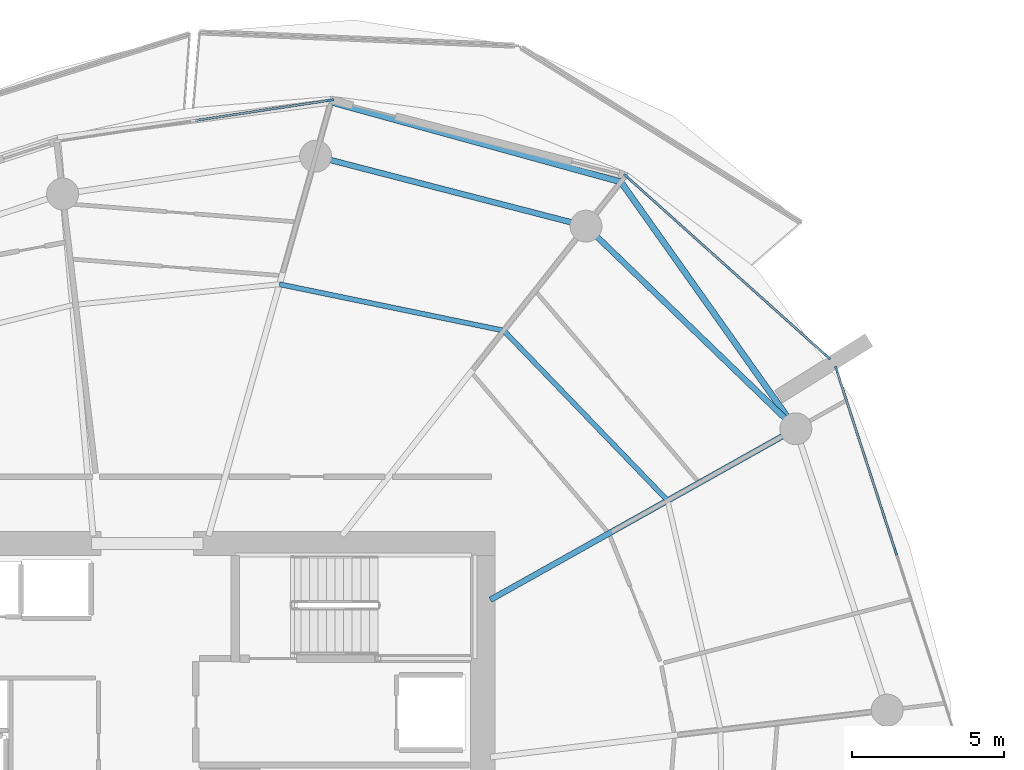
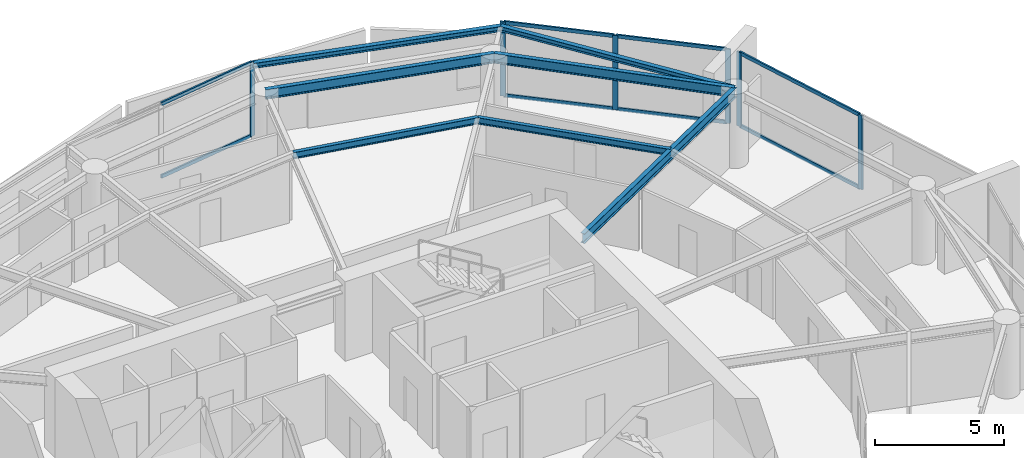
# One storey, part 9 of 20: 14 members, 7 beams, 3 elements without a shape of their own.
"""IFC4 building model written with IfcOpenShell, lengths in metres."""

from ifc_helpers import new_model, si_unit, direction, frame, origin, origin_2d, place, context, subcontext, project, spatial, rectangle, i_section, extrude, material, layer, layer_set, material_profile, profile_set, type_object, element, aggregate, save


model = new_model("IFC4")

# Units and contexts
model_context = context("Model", 3, precision=1e-05, world=origin(), true_north=direction((0.0, 1.0)))
body_context = subcontext(model_context, "Body", "Model", "MODEL_VIEW")
ifc_project = project(units=[si_unit("LENGTHUNIT", "METRE"), si_unit("AREAUNIT", "SQUARE_METRE"), si_unit("VOLUMEUNIT", "CUBIC_METRE"), si_unit("PLANEANGLEUNIT", "RADIAN"), si_unit("MASSUNIT", "GRAM", prefix="KILO")], contexts=[model_context])

# Site, building, storey
site_placement = place(None, origin())
site = spatial("IfcSite", under=ifc_project, at=site_placement, CompositionType="ELEMENT")
building_placement = place(site_placement, origin())
building = spatial("IfcBuilding", under=site, at=building_placement, Name="Kazma Halo Residences", CompositionType="ELEMENT")
storey_placement = place(building_placement, frame((0.0, 0.0, 161.550048828125)))
storey = spatial("IfcBuildingStorey", under=building, at=storey_placement, Name="L40", CompositionType="ELEMENT", Elevation=161.550048828125)

# Beams
ifc_material_1 = material(Name="Steel S355", Category="steel")
ifc_material_profile_1 = material_profile(ifc_material_1, i_section(OverallWidth=0.201904296875, OverallDepth=0.2470703125, WebThickness=0.00732421875, FlangeThickness=0.010986328125, FilletRadius=0.011962890625, at=origin_2d()), Name="W250x49.1")
ifc_profile_set_1 = profile_set([ifc_material_profile_1], Name="Steel S355")
beam_type_1 = type_object("IfcBeamType", Name="BM-BAL-CANT", PredefinedType="BEAM", material=ifc_profile_set_1)
beam_1_placement = place(storey_placement, frame((69.730224609375, 54.16943359375, 3.37646484375), z_axis=(-0.578203432081, 0.81589263456, 0.0), x_axis=(-0.81589263456, -0.578203432081, 0.0)))
element("IfcBeam", 1, at=beam_1_placement, inside=storey, type_object=beam_type_1, Name="L40 wave-balcony lead tie beam 01", PredefinedType="BEAM", context=body_context, shape_type="SweptSolid", body=[
    extrude(i_section(OverallWidth=0.201904296875, OverallDepth=0.2470703125, WebThickness=0.00732421875, FlangeThickness=0.010986328125, FilletRadius=0.011962890625, at=origin_2d()), origin(), (0.0, 0.0, 1.0), 9.9365234375),
])
beam_2_placement = place(storey_placement, frame((63.98486328125, 62.276611328125, 3.37646484375), z_axis=(-0.964045237638, 0.265738179019, 0.0), x_axis=(-0.265738179019, -0.964045237638, 0.0)))
element("IfcBeam", 2, at=beam_2_placement, inside=storey, type_object=beam_type_1, Name="L40 wave-balcony tie beam 02", PredefinedType="BEAM", context=body_context, shape_type="SweptSolid", body=[
    extrude(i_section(OverallWidth=0.201904296875, OverallDepth=0.2470703125, WebThickness=0.00732421875, FlangeThickness=0.010986328125, FilletRadius=0.011962890625, at=origin_2d()), origin(), (0.0, 0.0, 1.0), 9.880859375),
])
ifc_material_profile_2 = material_profile(ifc_material_1, i_section(OverallWidth=0.18994140625, OverallDepth=0.45703125, WebThickness=0.009033203125, FlangeThickness=0.014404296875, FilletRadius=0.01611328125, at=origin_2d()), Name="W460x74")
ifc_profile_set_2 = profile_set([ifc_material_profile_2], Name="Steel S355")
beam_type_2 = type_object("IfcBeamType", Name="BM-RAD-W460", PredefinedType="BEAM", material=ifc_profile_set_2)
beam_3_placement = place(storey_placement, frame((59.699951171875, 48.55224609375, 3.271484375), z_axis=(0.872497324456, 0.488618889132, 0.0), x_axis=(-0.488618889132, 0.872497324456, 0.0)))
element("IfcBeam", 3, at=beam_3_placement, inside=storey, type_object=beam_type_2, Name="L40 radial floor beam 01", PredefinedType="BEAM", context=body_context, shape_type="SweptSolid", body=[
    extrude(i_section(OverallWidth=0.18994140625, OverallDepth=0.45703125, WebThickness=0.009033203125, FlangeThickness=0.014404296875, FilletRadius=0.01611328125, at=origin_2d()), origin(), (0.0, 0.0, 1.0), 11.49609375),
])
ifc_material_profile_3 = material_profile(ifc_material_1, i_section(OverallWidth=0.1650390625, OverallDepth=0.31005859375, WebThickness=0.005859375, FlangeThickness=0.009765625, FilletRadius=0.011962890625, at=origin_2d()), Name="W310x38.7")
ifc_profile_set_3 = profile_set([ifc_material_profile_3], Name="Steel S355")
beam_type_3 = type_object("IfcBeamType", Name="BM-SEC-W310B", PredefinedType="JOIST", material=ifc_profile_set_3)
beam_4_placement = place(storey_placement, frame((65.517578125, 51.810302734375, 3.344970703125), z_axis=(-0.694049338985, 0.719927437354, 0.0), x_axis=(-0.719927437354, -0.694049338985, 0.0)))
element("IfcBeam", 4, at=beam_4_placement, inside=storey, type_object=beam_type_3, Name="L40 circumferential floor joist 01", PredefinedType="JOIST", context=body_context, shape_type="SweptSolid", body=[
    extrude(i_section(OverallWidth=0.1650390625, OverallDepth=0.31005859375, WebThickness=0.005859375, FlangeThickness=0.009765625, FilletRadius=0.011962890625, at=origin_2d()), origin(), (0.0, 0.0, 1.0), 7.7548828125),
])
beam_5_placement = place(storey_placement, frame((60.13525390625, 57.393310546875, 3.344970703125), z_axis=(-0.979272189631, 0.202548706773, 0.0), x_axis=(-0.202548706773, -0.979272189631, 0.0)))
element("IfcBeam", 5, at=beam_5_placement, inside=storey, type_object=beam_type_3, Name="L40 circumferential floor joist 02", PredefinedType="JOIST", context=body_context, shape_type="SweptSolid", body=[
    extrude(i_section(OverallWidth=0.1650390625, OverallDepth=0.31005859375, WebThickness=0.005859375, FlangeThickness=0.009765625, FilletRadius=0.011962890625, at=origin_2d()), origin(), (0.0, 0.0, 1.0), 7.52001953125),
])
ifc_material_profile_4 = material_profile(ifc_material_1, i_section(OverallWidth=0.18994140625, OverallDepth=0.45703125, WebThickness=0.009033203125, FlangeThickness=0.014404296875, FilletRadius=0.01611328125, at=origin_2d()), Name="W460x74")
ifc_profile_set_4 = profile_set([ifc_material_profile_4], Name="Steel S355")
beam_type_4 = type_object("IfcBeamType", Name="BM-SPN-W460", PredefinedType="BEAM", material=ifc_profile_set_4)
beam_6_placement = place(storey_placement, frame((69.730224609375, 54.16943359375, 3.271484375), z_axis=(-0.719334705845, 0.694663645923, 0.0), x_axis=(-0.694663645923, -0.719334705845, 0.0)))
element("IfcBeam", 6, at=beam_6_placement, inside=storey, type_object=beam_type_4, Name="L40 perimeter ring beam 01", PredefinedType="BEAM", context=body_context, shape_type="SweptSolid", body=[
    extrude(i_section(OverallWidth=0.18994140625, OverallDepth=0.45703125, WebThickness=0.009033203125, FlangeThickness=0.014404296875, FilletRadius=0.01611328125, at=origin_2d()), origin(), (0.0, 0.0, 1.0), 9.5791015625),
])
beam_7_placement = place(storey_placement, frame((62.839599609375, 60.82373046875, 3.271484375), z_axis=(-0.968123664213, 0.250472694699, 0.0), x_axis=(-0.250472694699, -0.968123664213, 0.0)))
element("IfcBeam", 7, at=beam_7_placement, inside=storey, type_object=beam_type_4, Name="L40 perimeter ring beam 02", PredefinedType="BEAM", context=body_context, shape_type="SweptSolid", body=[
    extrude(i_section(OverallWidth=0.18994140625, OverallDepth=0.45703125, WebThickness=0.009033203125, FlangeThickness=0.014404296875, FilletRadius=0.01611328125, at=origin_2d()), origin(), (0.0, 0.0, 1.0), 9.175048828125),
])

# Curtain wall, members
ifc_material_2 = material(Name="Aluminium AW-6063 T6 and Triple-Silver Low-E Glass", Category="aluminium")
ifc_layer = layer(ifc_material_2, 0.219970703125)
ifc_layer_set = layer_set([ifc_layer], Name="Aluminium AW-6063 T6 and Triple-Silver Low-E Glass")
curtain_wall_type = type_object("IfcCurtainWallType", Name="CW-SYS-4", PredefinedType="NOTDEFINED", material=ifc_layer_set)
curtain_wall_1_placement = place(storey_placement, origin())
curtain_wall_1 = element("IfcCurtainWall", 8, at=curtain_wall_1_placement, inside=storey, type_object=curtain_wall_type, Name="L40 unitised curtain wall B01", PredefinedType="NOTDEFINED")
ifc_material_3 = material(Name="Aluminium AW-6063 T6", Category="aluminium")
ifc_material_profile_5 = material_profile(ifc_material_3, rectangle(XDim=0.074951171875, YDim=0.219970703125, at=origin_2d()), Name="CWM-75x220")
ifc_profile_set_5 = profile_set([ifc_material_profile_5], Name="Aluminium AW-6063 T6")
member_type_1 = type_object("IfcMemberType", Name="CW-SYS-4-MUL", PredefinedType="MULLION", material=ifc_profile_set_5)
member_1_placement = place(storey_placement, frame((70.778564453125, 56.5263671875, 0.0), z_axis=(0.0, 0.0, 1.0), x_axis=(-0.667770096247, -0.744367582957, 0.0)))
member_1 = element("IfcMember", 9, at=member_1_placement, type_object=member_type_1, Name="CWS-4 mullion 1", PredefinedType="MULLION", context=body_context, shape_type="SweptSolid", body=[
    extrude(rectangle(XDim=0.074951171875, YDim=0.219970703125, at=origin_2d()), origin(), (0.0, 0.0, 1.0), 3.5),
])
member_2_placement = place(storey_placement, frame((67.47509765625, 59.48974609375, 0.0), z_axis=(0.0, 0.0, 1.0), x_axis=(-0.667770096247, -0.744367582957, 0.0)))
member_2 = element("IfcMember", 10, at=member_2_placement, type_object=member_type_1, Name="CWS-4 mullion 2", PredefinedType="MULLION", context=body_context, shape_type="SweptSolid", body=[
    extrude(rectangle(XDim=0.074951171875, YDim=0.219970703125, at=origin_2d()), origin(), (0.0, 0.0, 1.0), 3.5),
])
member_3_placement = place(storey_placement, frame((64.171630859375, 62.453369140625, 0.0), z_axis=(0.0, 0.0, 1.0), x_axis=(-0.667770096247, -0.744367582957, 0.0)))
member_3 = element("IfcMember", 11, at=member_3_placement, type_object=member_type_1, Name="CWS-4 mullion 3", PredefinedType="MULLION", context=body_context, shape_type="SweptSolid", body=[
    extrude(rectangle(XDim=0.074951171875, YDim=0.219970703125, at=origin_2d()), origin(), (0.0, 0.0, 1.0), 3.5),
])

# Curtain wall, member
curtain_wall_2_placement = place(storey_placement, origin())
curtain_wall_2 = element("IfcCurtainWall", 12, at=curtain_wall_2_placement, inside=storey, type_object=curtain_wall_type, Name="L40 unitised curtain wall B03", PredefinedType="NOTDEFINED")
member_4_placement = place(storey_placement, frame((54.440673828125, 64.962890625, 0.0), z_axis=(0.0, 0.0, 1.0), x_axis=(0.148821022686, -0.988864148004, 0.0)))
member_4 = element("IfcMember", 13, at=member_4_placement, type_object=member_type_1, Name="CWS-4 mullion 1", PredefinedType="MULLION", context=body_context, shape_type="SweptSolid", body=[
    extrude(rectangle(XDim=0.074951171875, YDim=0.219970703125, at=origin_2d()), origin(), (0.0, 0.0, 1.0), 3.5),
])

# Curtain wall, members
curtain_wall_3_placement = place(storey_placement, origin())
curtain_wall_3 = element("IfcCurtainWall", 14, at=curtain_wall_3_placement, inside=storey, type_object=curtain_wall_type, Name="L40 unitised curtain wall B16", PredefinedType="NOTDEFINED")
member_5_placement = place(storey_placement, frame((73.009033203125, 50.1259765625, 0.0), z_axis=(0.0, 0.0, 1.0), x_axis=(-0.951057547609, -0.3090138203, 0.0)))
member_5 = element("IfcMember", 15, at=member_5_placement, type_object=member_type_1, Name="CWS-4 mullion 2", PredefinedType="MULLION", context=body_context, shape_type="SweptSolid", body=[
    extrude(rectangle(XDim=0.074951171875, YDim=0.219970703125, at=origin_2d()), origin(), (0.0, 0.0, 1.0), 3.5),
])
member_6_placement = place(storey_placement, frame((71.062255859375, 56.117431640625, 0.0), z_axis=(0.0, 0.0, 1.0), x_axis=(-0.951057547609, -0.3090138203, 0.0)))
member_6 = element("IfcMember", 16, at=member_6_placement, type_object=member_type_1, Name="CWS-4 mullion 3", PredefinedType="MULLION", context=body_context, shape_type="SweptSolid", body=[
    extrude(rectangle(XDim=0.074951171875, YDim=0.219970703125, at=origin_2d()), origin(), (0.0, 0.0, 1.0), 3.5),
])

# Member
ifc_material_profile_6 = material_profile(ifc_material_3, rectangle(XDim=0.074951171875, YDim=0.1650390625, at=origin_2d()), Name="CWT-75x165")
ifc_profile_set_6 = profile_set([ifc_material_profile_6], Name="Aluminium AW-6063 T6")
member_type_2 = type_object("IfcMemberType", Name="CW-SYS-4-TRN", PredefinedType="USERDEFINED", material=ifc_profile_set_6)
member_7_placement = place(storey_placement, frame((70.75048828125, 56.55126953125, 0.037353515625), z_axis=(-0.744344978888, 0.66779529229, 0.0), x_axis=(-0.66779529229, -0.744344978888, 0.0)))
member_7 = element("IfcMember", 17, at=member_7_placement, type_object=member_type_2, Name="CWS-4 transom 1.1", ObjectType="TRANSOM", PredefinedType="USERDEFINED", context=body_context, shape_type="SweptSolid", body=[
    extrude(rectangle(XDim=0.074951171875, YDim=0.1650390625, at=origin_2d()), origin(), (0.0, 0.0, 1.0), 4.363037109375),
])

member_8_placement = place(storey_placement, frame((70.75048828125, 56.55126953125, 3.46240234375), z_axis=(-0.744344978888, 0.66779529229, 0.0), x_axis=(-0.66779529229, -0.744344978888, 0.0)))
member_8 = element("IfcMember", 18, at=member_8_placement, type_object=member_type_2, Name="CWS-4 transom 1.2", ObjectType="TRANSOM", PredefinedType="USERDEFINED", context=body_context, shape_type="SweptSolid", body=[
    extrude(rectangle(XDim=0.074951171875, YDim=0.1650390625, at=origin_2d()), origin(), (0.0, 0.0, 1.0), 4.363037109375),
])

member_9_placement = place(storey_placement, frame((67.447265625, 59.514892578125, 0.037353515625), z_axis=(-0.744372794017, 0.667764287401, 0.0), x_axis=(-0.667764287401, -0.744372794017, 0.0)))
member_9 = element("IfcMember", 19, at=member_9_placement, type_object=member_type_2, Name="CWS-4 transom 2.1", ObjectType="TRANSOM", PredefinedType="USERDEFINED", context=body_context, shape_type="SweptSolid", body=[
    extrude(rectangle(XDim=0.074951171875, YDim=0.1650390625, at=origin_2d()), origin(), (0.0, 0.0, 1.0), 4.36279296875),
])

member_10_placement = place(storey_placement, frame((67.447265625, 59.514892578125, 3.46240234375), z_axis=(-0.744372794017, 0.667764287401, 0.0), x_axis=(-0.667764287401, -0.744372794017, 0.0)))
member_10 = element("IfcMember", 20, at=member_10_placement, type_object=member_type_2, Name="CWS-4 transom 2.2", ObjectType="TRANSOM", PredefinedType="USERDEFINED", context=body_context, shape_type="SweptSolid", body=[
    extrude(rectangle(XDim=0.074951171875, YDim=0.1650390625, at=origin_2d()), origin(), (0.0, 0.0, 1.0), 4.36279296875),
])

aggregate(curtain_wall_1, [member_1, member_2, member_3, member_7, member_8, member_9, member_10])

member_11_placement = place(storey_placement, frame((54.403564453125, 64.957275390625, 0.037353515625), z_axis=(-0.988866721231, -0.148803923478, 0.0), x_axis=(0.148803923478, -0.988866721231, 0.0)))
member_11 = element("IfcMember", 21, at=member_11_placement, type_object=member_type_2, Name="CWS-4 transom 1.1", ObjectType="TRANSOM", PredefinedType="USERDEFINED", context=body_context, shape_type="SweptSolid", body=[
    extrude(rectangle(XDim=0.074951171875, YDim=0.1650390625, at=origin_2d()), origin(), (0.0, 0.0, 1.0), 4.4560546875),
])

member_12_placement = place(storey_placement, frame((54.403564453125, 64.957275390625, 3.46240234375), z_axis=(-0.988866721231, -0.148803923478, 0.0), x_axis=(0.148803923478, -0.988866721231, 0.0)))
member_12 = element("IfcMember", 22, at=member_12_placement, type_object=member_type_2, Name="CWS-4 transom 1.2", ObjectType="TRANSOM", PredefinedType="USERDEFINED", context=body_context, shape_type="SweptSolid", body=[
    extrude(rectangle(XDim=0.074951171875, YDim=0.1650390625, at=origin_2d()), origin(), (0.0, 0.0, 1.0), 4.4560546875),
])

aggregate(curtain_wall_2, [member_4, member_11, member_12])

member_13_placement = place(storey_placement, frame((72.99755859375, 50.16162109375, 0.037353515625), z_axis=(-0.309017784977, 0.951056259413, 0.0), x_axis=(-0.951056259413, -0.309017784977, 0.0)))
member_13 = element("IfcMember", 23, at=member_13_placement, type_object=member_type_2, Name="CWS-4 transom 2.1", ObjectType="TRANSOM", PredefinedType="USERDEFINED", context=body_context, shape_type="SweptSolid", body=[
    extrude(rectangle(XDim=0.074951171875, YDim=0.1650390625, at=origin_2d()), origin(), (0.0, 0.0, 1.0), 6.224853515625),
])

member_14_placement = place(storey_placement, frame((72.99755859375, 50.16162109375, 3.46240234375), z_axis=(-0.309017784977, 0.951056259413, 0.0), x_axis=(-0.951056259413, -0.309017784977, 0.0)))
member_14 = element("IfcMember", 24, at=member_14_placement, type_object=member_type_2, Name="CWS-4 transom 2.2", ObjectType="TRANSOM", PredefinedType="USERDEFINED", context=body_context, shape_type="SweptSolid", body=[
    extrude(rectangle(XDim=0.074951171875, YDim=0.1650390625, at=origin_2d()), origin(), (0.0, 0.0, 1.0), 6.224853515625),
])

aggregate(curtain_wall_3, [member_5, member_6, member_13, member_14])

save(model, "model.ifc")
